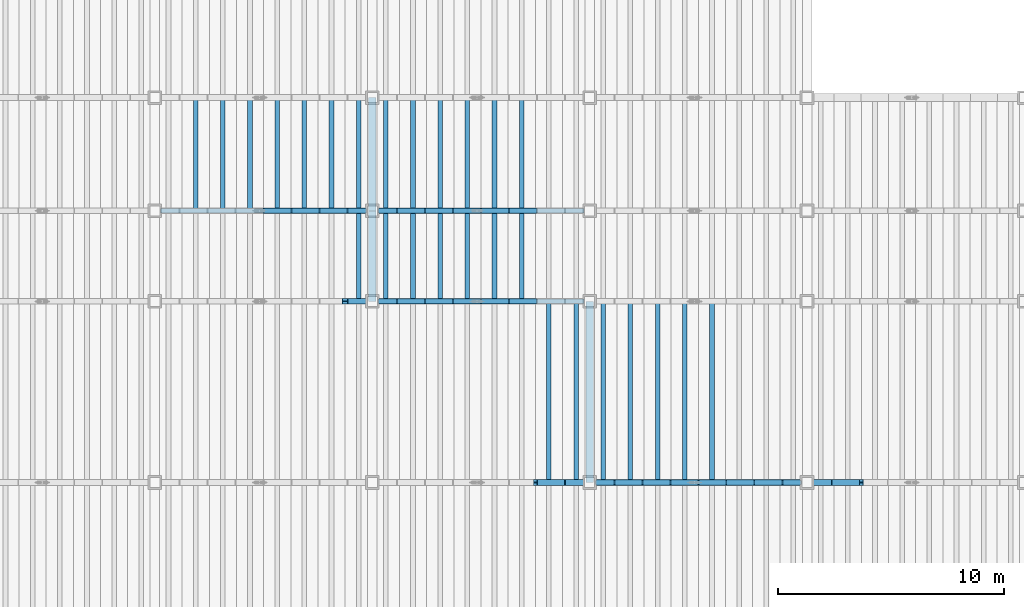
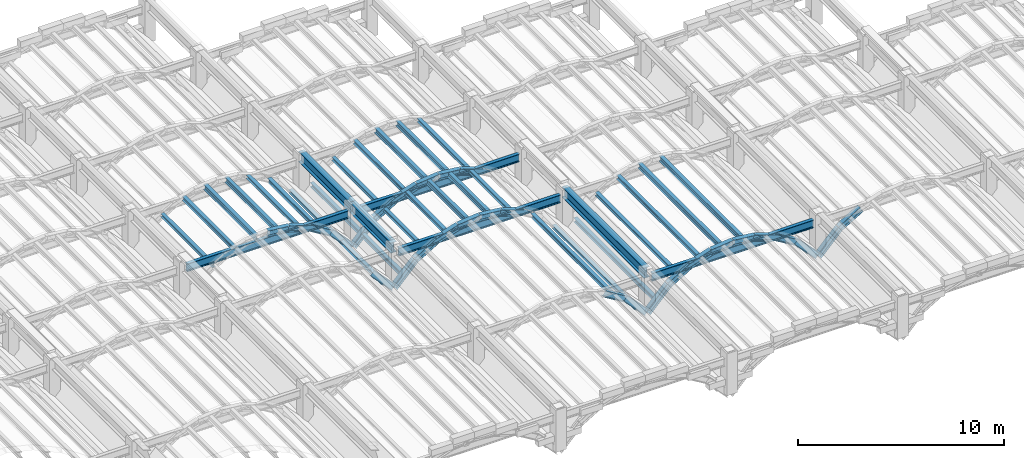
# One storey, part 24 of 70: 56 members, 7 beams.
"""IFC4 building model written with IfcOpenShell, lengths in metres."""

from ifc_helpers import new_model, si_unit, direction, frame, origin, origin_2d, place, context, subcontext, project, spatial, i_section, extrude, material, material_profile, profile_set, type_object, element, save


model = new_model("IFC4")

# Units and contexts
model_context = context("Model", 3, precision=1e-05, world=origin(), true_north=direction((0.0, 1.0)))
body_context = subcontext(model_context, "Body", "Model", "MODEL_VIEW")
ifc_project = project(units=[si_unit("LENGTHUNIT", "METRE"), si_unit("AREAUNIT", "SQUARE_METRE"), si_unit("VOLUMEUNIT", "CUBIC_METRE"), si_unit("PLANEANGLEUNIT", "RADIAN"), si_unit("MASSUNIT", "GRAM", prefix="KILO")], contexts=[model_context])

# Site, building, storey
site_placement = place(None, origin())
site = spatial("IfcSite", under=ifc_project, at=site_placement, CompositionType="ELEMENT")
building_placement = place(site_placement, origin())
building = spatial("IfcBuilding", under=site, at=building_placement, Name="Mavantir Sound Aquarium", CompositionType="ELEMENT")
storey_placement = place(building_placement, frame((0.0, 0.0, 27.0)))
storey = spatial("IfcBuildingStorey", under=building, at=storey_placement, Name="RF", CompositionType="ELEMENT", Elevation=27.0)

# Beams
ifc_material = material(Name="Structural Steel ASTM A992 Gr50", Category="steel")
ifc_material_profile_1 = material_profile(ifc_material, i_section(OverallWidth=0.194091796875, OverallDepth=0.468994140625, WebThickness=0.0126953125, FlangeThickness=0.0205078125, FilletRadius=0.01611328125, at=origin_2d()), Name="W460X106")
ifc_profile_set_1 = profile_set([ifc_material_profile_1], Name="Structural Steel ASTM A992 Gr50")
beam_type_1 = type_object("IfcBeamType", Name="BM-W460X106-I", PredefinedType="BEAM", material=ifc_profile_set_1)
beam_1_placement = place(storey_placement, frame((127.449951171875, 60.800048828125, -5.327392578125), z_axis=(1.0, 0.0, 0.0), x_axis=(0.0, 1.0, 0.0)))
element("IfcBeam", 1, at=beam_1_placement, inside=storey, type_object=beam_type_1, Name="Scalloped bay 3 transverse tie girder 221", PredefinedType="BEAM", context=body_context, shape_type="SweptSolid", body=[
    extrude(i_section(OverallWidth=0.194091796875, OverallDepth=0.468994140625, WebThickness=0.0126953125, FlangeThickness=0.0205078125, FilletRadius=0.01611328125, at=origin_2d()), origin(), (0.0, 0.0, 1.0), 9.10009765625),
])
for number, where, z_axis, x_axis, name in (
    (2, (137.050048828125, 56.800048828125, -5.327392578125), (1.0, 0.0, 0.0), (0.0, 1.0, 0.0), "Scalloped bay 4 transverse tie girder 291"),
    (3, (137.050048828125, 60.800048828125, -5.327392578125), (1.0, 0.0, 0.0), (0.0, 1.0, 0.0), "Scalloped bay 4 transverse tie girder 301"),
):
    element("IfcBeam", number, at=place(storey_placement, frame(where, z_axis=z_axis, x_axis=x_axis)), inside=storey, type_object=beam_type_1, Name=name, PredefinedType="BEAM", context=body_context, shape_type="SweptSolid", body=[
        extrude(i_section(OverallWidth=0.194091796875, OverallDepth=0.468994140625, WebThickness=0.0126953125, FlangeThickness=0.0205078125, FilletRadius=0.01611328125, at=origin_2d()), origin(), (0.0, 0.0, 1.0), 9.099853515625),
    ])
beam_2_placement = place(storey_placement, frame((146.64990234375, 48.800048828125, -5.327392578125), z_axis=(1.0, 0.0, 0.0), x_axis=(0.0, 1.0, 0.0)))
element("IfcBeam", 4, at=beam_2_placement, inside=storey, type_object=beam_type_1, Name="Scalloped bay 5 transverse tie girder 351", PredefinedType="BEAM", context=body_context, shape_type="SweptSolid", body=[
    extrude(i_section(OverallWidth=0.194091796875, OverallDepth=0.468994140625, WebThickness=0.0126953125, FlangeThickness=0.0205078125, FilletRadius=0.01611328125, at=origin_2d()), origin(), (0.0, 0.0, 1.0), 9.10009765625),
])
ifc_material_profile_2 = material_profile(ifc_material, i_section(OverallWidth=0.323974609375, OverallDepth=0.611083984375, WebThickness=0.0126953125, FlangeThickness=0.01904296875, FilletRadius=0.01904296875, at=origin_2d()), Name="W610X155")
ifc_profile_set_2 = profile_set([ifc_material_profile_2], Name="Structural Steel ASTM A992 Gr50")
beam_type_2 = type_object("IfcBeamType", Name="BM-W610X155-E", PredefinedType="BEAM", material=ifc_profile_set_2)
beam_3_placement = place(storey_placement, frame((136.800048828125, 56.800048828125, -5.0048828125), z_axis=(0.0, 1.0, 0.0), x_axis=(-1.0, 0.0, 0.0)))
element("IfcBeam", 5, at=beam_3_placement, inside=storey, type_object=beam_type_2, Name="Scalloped roof straight ridge beam 29", PredefinedType="BEAM", context=body_context, shape_type="SweptSolid", body=[
    extrude(i_section(OverallWidth=0.323974609375, OverallDepth=0.611083984375, WebThickness=0.0126953125, FlangeThickness=0.01904296875, FilletRadius=0.01904296875, at=origin_2d()), origin(), (0.0, 0.0, 1.0), 4.0),
])
beam_4_placement = place(storey_placement, frame((136.800048828125, 60.800048828125, -5.0048828125), z_axis=(0.0, 1.0, 0.0), x_axis=(-1.0, 0.0, 0.0)))
element("IfcBeam", 6, at=beam_4_placement, inside=storey, type_object=beam_type_2, Name="Scalloped roof straight ridge beam 30", PredefinedType="BEAM", context=body_context, shape_type="SweptSolid", body=[
    extrude(i_section(OverallWidth=0.323974609375, OverallDepth=0.611083984375, WebThickness=0.0126953125, FlangeThickness=0.01904296875, FilletRadius=0.01904296875, at=origin_2d()), origin(), (0.0, 0.0, 1.0), 5.0),
])
beam_5_placement = place(storey_placement, frame((146.39990234375, 48.800048828125, -5.0048828125), z_axis=(0.0, 1.0, 0.0), x_axis=(-1.0, 0.0, 0.0)))
element("IfcBeam", 7, at=beam_5_placement, inside=storey, type_object=beam_type_2, Name="Scalloped roof straight ridge beam 35", PredefinedType="BEAM", context=body_context, shape_type="SweptSolid", body=[
    extrude(i_section(OverallWidth=0.323974609375, OverallDepth=0.611083984375, WebThickness=0.0126953125, FlangeThickness=0.01904296875, FilletRadius=0.01904296875, at=origin_2d()), origin(), (0.0, 0.0, 1.0), 8.0),
])

# Members
ifc_material_profile_3 = material_profile(ifc_material, i_section(OverallWidth=0.202880859375, OverallDepth=0.202880859375, WebThickness=0.007080078125, FlangeThickness=0.010986328125, FilletRadius=0.010009765625, at=origin_2d()), Name="W200X46")
ifc_profile_set_3 = profile_set([ifc_material_profile_3], Name="Structural Steel ASTM A992 Gr50")
member_type_1 = type_object("IfcMemberType", Name="MEM-TR-W200", PredefinedType="PURLIN", material=ifc_profile_set_3)
member_1_placement = place(storey_placement, frame((136.199951171875, 56.800048828125, -6.881103515625), z_axis=(0.0, 1.0, 0.0), x_axis=(-1.0, 0.0, 0.0)))
element("IfcMember", 8, at=member_1_placement, inside=storey, type_object=member_type_1, Name="Scalloped bay 3 roof purlin 160", PredefinedType="PURLIN", context=body_context, shape_type="SweptSolid", body=[
    extrude(i_section(OverallWidth=0.202880859375, OverallDepth=0.202880859375, WebThickness=0.007080078125, FlangeThickness=0.010986328125, FilletRadius=0.010009765625, at=origin_2d()), origin(), (0.0, 0.0, 1.0), 4.0),
])
for number, where, z_axis, x_axis, name in (
    (9, (129.0, 60.800048828125, -5.77978515625), (0.0, 1.0, 0.0), (-1.0, 0.0, 0.0), "Scalloped bay 3 roof purlin 162"),
    (10, (133.800048828125, 60.800048828125, -5.169921875), (0.0, 1.0, 0.0), (-1.0, 0.0, 0.0), "Scalloped bay 3 roof purlin 166"),
    (11, (136.199951171875, 60.800048828125, -6.881103515625), (0.0, 1.0, 0.0), (-1.0, 0.0, 0.0), "Scalloped bay 3 roof purlin 168"),
):
    element("IfcMember", number, at=place(storey_placement, frame(where, z_axis=z_axis, x_axis=x_axis)), inside=storey, type_object=member_type_1, Name=name, PredefinedType="PURLIN", context=body_context, shape_type="SweptSolid", body=[
        extrude(i_section(OverallWidth=0.202880859375, OverallDepth=0.202880859375, WebThickness=0.007080078125, FlangeThickness=0.010986328125, FilletRadius=0.010009765625, at=origin_2d()), origin(), (0.0, 0.0, 1.0), 5.0),
    ])
member_2_placement = place(storey_placement, frame((145.800048828125, 48.800048828125, -6.881103515625), z_axis=(0.0, 1.0, 0.0), x_axis=(-1.0, 0.0, 0.0)))
element("IfcMember", 12, at=member_2_placement, inside=storey, type_object=member_type_1, Name="Scalloped bay 4 roof purlin 208", PredefinedType="PURLIN", context=body_context, shape_type="SweptSolid", body=[
    extrude(i_section(OverallWidth=0.202880859375, OverallDepth=0.202880859375, WebThickness=0.007080078125, FlangeThickness=0.010986328125, FilletRadius=0.010009765625, at=origin_2d()), origin(), (0.0, 0.0, 1.0), 8.0),
])
for number, where, z_axis, x_axis, name in (
    (13, (138.60009765625, 56.800048828125, -5.77978515625), (0.0, 1.0, 0.0), (-1.0, 0.0, 0.0), "Scalloped bay 4 roof purlin 210"),
    (14, (143.39990234375, 56.800048828125, -5.169921875), (0.0, 1.0, 0.0), (-1.0, 0.0, 0.0), "Scalloped bay 4 roof purlin 214"),
):
    element("IfcMember", number, at=place(storey_placement, frame(where, z_axis=z_axis, x_axis=x_axis)), inside=storey, type_object=member_type_1, Name=name, PredefinedType="PURLIN", context=body_context, shape_type="SweptSolid", body=[
        extrude(i_section(OverallWidth=0.202880859375, OverallDepth=0.202880859375, WebThickness=0.007080078125, FlangeThickness=0.010986328125, FilletRadius=0.010009765625, at=origin_2d()), origin(), (0.0, 0.0, 1.0), 4.0),
    ])
for number, where, z_axis, x_axis, name in (
    (15, (138.60009765625, 60.800048828125, -5.77978515625), (0.0, 1.0, 0.0), (-1.0, 0.0, 0.0), "Scalloped bay 4 roof purlin 218"),
    (16, (143.39990234375, 60.800048828125, -5.169921875), (0.0, 1.0, 0.0), (-1.0, 0.0, 0.0), "Scalloped bay 4 roof purlin 222"),
):
    element("IfcMember", number, at=place(storey_placement, frame(where, z_axis=z_axis, x_axis=x_axis)), inside=storey, type_object=member_type_1, Name=name, PredefinedType="PURLIN", context=body_context, shape_type="SweptSolid", body=[
        extrude(i_section(OverallWidth=0.202880859375, OverallDepth=0.202880859375, WebThickness=0.007080078125, FlangeThickness=0.010986328125, FilletRadius=0.010009765625, at=origin_2d()), origin(), (0.0, 0.0, 1.0), 5.0),
    ])
member_3_placement = place(storey_placement, frame((148.199951171875, 48.800048828125, -5.77978515625), z_axis=(0.0, 1.0, 0.0), x_axis=(-1.0, 0.0, 0.0)))
element("IfcMember", 17, at=member_3_placement, inside=storey, type_object=member_type_1, Name="Scalloped bay 5 roof purlin 250", PredefinedType="PURLIN", context=body_context, shape_type="SweptSolid", body=[
    extrude(i_section(OverallWidth=0.202880859375, OverallDepth=0.202880859375, WebThickness=0.007080078125, FlangeThickness=0.010986328125, FilletRadius=0.010009765625, at=origin_2d()), origin(), (0.0, 0.0, 1.0), 8.0),
])
ifc_material_profile_4 = material_profile(ifc_material, i_section(OverallWidth=0.202880859375, OverallDepth=0.251953125, WebThickness=0.008056640625, FlangeThickness=0.013427734375, FilletRadius=0.011962890625, at=origin_2d()), Name="W250X58")
ifc_profile_set_4 = profile_set([ifc_material_profile_4], Name="Structural Steel ASTM A992 Gr50")
member_type_2 = type_object("IfcMemberType", Name="MEM-TR-W250", PredefinedType="PURLIN", material=ifc_profile_set_4)
for number, where, z_axis, x_axis, name in (
    (18, (130.199951171875, 60.800048828125, -5.194580078125), (0.0, 1.0, 0.0), (-1.0, 0.0, 0.0), "Scalloped bay 3 roof purlin 163"),
    (19, (135.0, 60.800048828125, -5.804443359375), (0.0, 1.0, 0.0), (-1.0, 0.0, 0.0), "Scalloped bay 3 roof purlin 167"),
):
    element("IfcMember", number, at=place(storey_placement, frame(where, z_axis=z_axis, x_axis=x_axis)), inside=storey, type_object=member_type_2, Name=name, PredefinedType="PURLIN", context=body_context, shape_type="SweptSolid", body=[
        extrude(i_section(OverallWidth=0.202880859375, OverallDepth=0.251953125, WebThickness=0.008056640625, FlangeThickness=0.013427734375, FilletRadius=0.011962890625, at=origin_2d()), origin(), (0.0, 0.0, 1.0), 5.0),
    ])
member_4_placement = place(storey_placement, frame((144.60009765625, 48.800048828125, -5.804443359375), z_axis=(0.0, 1.0, 0.0), x_axis=(-1.0, 0.0, 0.0)))
element("IfcMember", 20, at=member_4_placement, inside=storey, type_object=member_type_2, Name="Scalloped bay 4 roof purlin 207", PredefinedType="PURLIN", context=body_context, shape_type="SweptSolid", body=[
    extrude(i_section(OverallWidth=0.202880859375, OverallDepth=0.251953125, WebThickness=0.008056640625, FlangeThickness=0.013427734375, FilletRadius=0.011962890625, at=origin_2d()), origin(), (0.0, 0.0, 1.0), 8.0),
])
for number, where, z_axis, x_axis, name in (
    (21, (137.39990234375, 56.800048828125, -6.90576171875), (0.0, 1.0, 0.0), (-1.0, 0.0, 0.0), "Scalloped bay 4 roof purlin 209"),
    (22, (139.800048828125, 56.800048828125, -5.194580078125), (0.0, 1.0, 0.0), (-1.0, 0.0, 0.0), "Scalloped bay 4 roof purlin 211"),
):
    element("IfcMember", number, at=place(storey_placement, frame(where, z_axis=z_axis, x_axis=x_axis)), inside=storey, type_object=member_type_2, Name=name, PredefinedType="PURLIN", context=body_context, shape_type="SweptSolid", body=[
        extrude(i_section(OverallWidth=0.202880859375, OverallDepth=0.251953125, WebThickness=0.008056640625, FlangeThickness=0.013427734375, FilletRadius=0.011962890625, at=origin_2d()), origin(), (0.0, 0.0, 1.0), 4.0),
    ])
for number, where, z_axis, x_axis, name in (
    (23, (137.39990234375, 60.800048828125, -6.90576171875), (0.0, 1.0, 0.0), (-1.0, 0.0, 0.0), "Scalloped bay 4 roof purlin 217"),
    (24, (139.800048828125, 60.800048828125, -5.194580078125), (0.0, 1.0, 0.0), (-1.0, 0.0, 0.0), "Scalloped bay 4 roof purlin 219"),
):
    element("IfcMember", number, at=place(storey_placement, frame(where, z_axis=z_axis, x_axis=x_axis)), inside=storey, type_object=member_type_2, Name=name, PredefinedType="PURLIN", context=body_context, shape_type="SweptSolid", body=[
        extrude(i_section(OverallWidth=0.202880859375, OverallDepth=0.251953125, WebThickness=0.008056640625, FlangeThickness=0.013427734375, FilletRadius=0.011962890625, at=origin_2d()), origin(), (0.0, 0.0, 1.0), 5.0),
    ])
for number, where, z_axis, x_axis, name in (
    (25, (147.0, 48.800048828125, -6.90576171875), (0.0, 1.0, 0.0), (-1.0, 0.0, 0.0), "Scalloped bay 5 roof purlin 249"),
    (26, (149.39990234375, 48.800048828125, -5.194580078125), (0.0, 1.0, 0.0), (-1.0, 0.0, 0.0), "Scalloped bay 5 roof purlin 251"),
):
    element("IfcMember", number, at=place(storey_placement, frame(where, z_axis=z_axis, x_axis=x_axis)), inside=storey, type_object=member_type_2, Name=name, PredefinedType="PURLIN", context=body_context, shape_type="SweptSolid", body=[
        extrude(i_section(OverallWidth=0.202880859375, OverallDepth=0.251953125, WebThickness=0.008056640625, FlangeThickness=0.013427734375, FilletRadius=0.011962890625, at=origin_2d()), origin(), (0.0, 0.0, 1.0), 8.0),
    ])
ifc_material_profile_5 = material_profile(ifc_material, i_section(OverallWidth=0.205078125, OverallDepth=0.31005859375, WebThickness=0.009521484375, FlangeThickness=0.016357421875, FilletRadius=0.012939453125, at=origin_2d()), Name="W310X74")
ifc_profile_set_5 = profile_set([ifc_material_profile_5], Name="Structural Steel ASTM A992 Gr50")
member_type_3 = type_object("IfcMemberType", Name="MEM-TR-W310", PredefinedType="RAFTER", material=ifc_profile_set_5)
for number, where, z_axis, x_axis, name in (
    (27, (131.39990234375, 60.800048828125, -4.933837890625), (0.0, 1.0, 0.0), (-1.0, 0.0, 0.0), "Scalloped bay 3 roof purlin 164"),
    (28, (132.60009765625, 60.800048828125, -4.933837890625), (0.0, 1.0, 0.0), (-1.0, 0.0, 0.0), "Scalloped bay 3 roof purlin 165"),
):
    element("IfcMember", number, at=place(storey_placement, frame(where, z_axis=z_axis, x_axis=x_axis)), inside=storey, type_object=member_type_3, Name=name, PredefinedType="RAFTER", context=body_context, shape_type="SweptSolid", body=[
        extrude(i_section(OverallWidth=0.205078125, OverallDepth=0.31005859375, WebThickness=0.009521484375, FlangeThickness=0.016357421875, FilletRadius=0.012939453125, at=origin_2d()), origin(), (0.0, 0.0, 1.0), 5.0),
    ])
for number, where, z_axis, x_axis, name in (
    (29, (141.0, 56.800048828125, -4.933837890625), (0.0, 1.0, 0.0), (-1.0, 0.0, 0.0), "Scalloped bay 4 roof purlin 212"),
    (30, (142.199951171875, 56.800048828125, -4.933837890625), (0.0, 1.0, 0.0), (-1.0, 0.0, 0.0), "Scalloped bay 4 roof purlin 213"),
):
    element("IfcMember", number, at=place(storey_placement, frame(where, z_axis=z_axis, x_axis=x_axis)), inside=storey, type_object=member_type_3, Name=name, PredefinedType="RAFTER", context=body_context, shape_type="SweptSolid", body=[
        extrude(i_section(OverallWidth=0.205078125, OverallDepth=0.31005859375, WebThickness=0.009521484375, FlangeThickness=0.016357421875, FilletRadius=0.012939453125, at=origin_2d()), origin(), (0.0, 0.0, 1.0), 4.0),
    ])
for number, where, z_axis, x_axis, name in (
    (31, (141.0, 60.800048828125, -4.933837890625), (0.0, 1.0, 0.0), (-1.0, 0.0, 0.0), "Scalloped bay 4 roof purlin 220"),
    (32, (142.199951171875, 60.800048828125, -4.933837890625), (0.0, 1.0, 0.0), (-1.0, 0.0, 0.0), "Scalloped bay 4 roof purlin 221"),
):
    element("IfcMember", number, at=place(storey_placement, frame(where, z_axis=z_axis, x_axis=x_axis)), inside=storey, type_object=member_type_3, Name=name, PredefinedType="RAFTER", context=body_context, shape_type="SweptSolid", body=[
        extrude(i_section(OverallWidth=0.205078125, OverallDepth=0.31005859375, WebThickness=0.009521484375, FlangeThickness=0.016357421875, FilletRadius=0.012939453125, at=origin_2d()), origin(), (0.0, 0.0, 1.0), 5.0),
    ])
for number, where, z_axis, x_axis, name in (
    (33, (150.60009765625, 48.800048828125, -4.933837890625), (0.0, 1.0, 0.0), (-1.0, 0.0, 0.0), "Scalloped bay 5 roof purlin 252"),
    (34, (151.800048828125, 48.800048828125, -4.933837890625), (0.0, 1.0, 0.0), (-1.0, 0.0, 0.0), "Scalloped bay 5 roof purlin 253"),
):
    element("IfcMember", number, at=place(storey_placement, frame(where, z_axis=z_axis, x_axis=x_axis)), inside=storey, type_object=member_type_3, Name=name, PredefinedType="RAFTER", context=body_context, shape_type="SweptSolid", body=[
        extrude(i_section(OverallWidth=0.205078125, OverallDepth=0.31005859375, WebThickness=0.009521484375, FlangeThickness=0.016357421875, FilletRadius=0.012939453125, at=origin_2d()), origin(), (0.0, 0.0, 1.0), 8.0),
    ])
ifc_material_profile_6 = material_profile(ifc_material, i_section(OverallWidth=0.25390625, OverallDepth=0.35302734375, WebThickness=0.009521484375, FlangeThickness=0.016357421875, FilletRadius=0.014892578125, at=origin_2d()), Name="W360X91")
ifc_profile_set_6 = profile_set([ifc_material_profile_6], Name="Structural Steel ASTM A992 Gr50")
member_type_4 = type_object("IfcMemberType", Name="MEM-TR-W360", PredefinedType="RAFTER", material=ifc_profile_set_6)
member_5_placement = place(storey_placement, frame((135.60009765625, 56.800048828125, -6.11328125), z_axis=(0.688727365252, 0.0, -0.725020424784), x_axis=(0.0, 1.0, 0.0)))
element("IfcMember", 35, at=member_5_placement, inside=storey, type_object=member_type_4, Name="Scalloped bay 3 sagging-arc trough rib 220", PredefinedType="RAFTER", context=body_context, shape_type="SweptSolid", body=[
    extrude(i_section(OverallWidth=0.25390625, OverallDepth=0.35302734375, WebThickness=0.009521484375, FlangeThickness=0.016357421875, FilletRadius=0.014892578125, at=origin_2d()), origin(), (0.0, 0.0, 1.0), 1.7421875),
])
member_6_placement = place(storey_placement, frame((132.0, 60.800048828125, -4.87646484375), z_axis=(0.994680359373, 0.0, -0.103009624196), x_axis=(0.0, 1.0, 0.0)))
element("IfcMember", 36, at=member_6_placement, inside=storey, type_object=member_type_4, Name="Scalloped bay 3 sagging-arc trough rib 226", PredefinedType="RAFTER", context=body_context, shape_type="SweptSolid", body=[
    extrude(i_section(OverallWidth=0.25390625, OverallDepth=0.35302734375, WebThickness=0.009521484375, FlangeThickness=0.016357421875, FilletRadius=0.014892578125, at=origin_2d()), origin(), (0.0, 0.0, 1.0), 1.206298828125),
])
member_7_placement = place(storey_placement, frame((133.199951171875, 60.800048828125, -5.000732421875), z_axis=(0.951055396379, 0.0, -0.309020441102), x_axis=(0.0, 1.0, 0.0)))
element("IfcMember", 37, at=member_7_placement, inside=storey, type_object=member_type_4, Name="Scalloped bay 3 sagging-arc trough rib 228", PredefinedType="RAFTER", context=body_context, shape_type="SweptSolid", body=[
    extrude(i_section(OverallWidth=0.25390625, OverallDepth=0.35302734375, WebThickness=0.009521484375, FlangeThickness=0.016357421875, FilletRadius=0.014892578125, at=origin_2d()), origin(), (0.0, 0.0, 1.0), 1.26171875),
])
member_8_placement = place(storey_placement, frame((134.39990234375, 60.800048828125, -5.390625), z_axis=(0.856692316174, 0.0, -0.515827757501), x_axis=(0.0, 1.0, 0.0)))
element("IfcMember", 38, at=member_8_placement, inside=storey, type_object=member_type_4, Name="Scalloped bay 3 sagging-arc trough rib 229", PredefinedType="RAFTER", context=body_context, shape_type="SweptSolid", body=[
    extrude(i_section(OverallWidth=0.25390625, OverallDepth=0.35302734375, WebThickness=0.009521484375, FlangeThickness=0.016357421875, FilletRadius=0.014892578125, at=origin_2d()), origin(), (0.0, 0.0, 1.0), 1.40087890625),
])
member_9_placement = place(storey_placement, frame((135.60009765625, 60.800048828125, -6.11328125), z_axis=(0.688727365252, 0.0, -0.725020424784), x_axis=(0.0, 1.0, 0.0)))
element("IfcMember", 39, at=member_9_placement, inside=storey, type_object=member_type_4, Name="Scalloped bay 3 sagging-arc trough rib 230", PredefinedType="RAFTER", context=body_context, shape_type="SweptSolid", body=[
    extrude(i_section(OverallWidth=0.25390625, OverallDepth=0.35302734375, WebThickness=0.009521484375, FlangeThickness=0.016357421875, FilletRadius=0.014892578125, at=origin_2d()), origin(), (0.0, 0.0, 1.0), 1.7421875),
])
member_10_placement = place(storey_placement, frame((144.0, 48.800048828125, -5.390625), z_axis=(0.856645937356, 0.0, -0.515904776109), x_axis=(0.0, 1.0, 0.0)))
element("IfcMember", 40, at=member_10_placement, inside=storey, type_object=member_type_4, Name="Scalloped bay 4 sagging-arc trough rib 289", PredefinedType="RAFTER", context=body_context, shape_type="SweptSolid", body=[
    extrude(i_section(OverallWidth=0.25390625, OverallDepth=0.35302734375, WebThickness=0.009521484375, FlangeThickness=0.016357421875, FilletRadius=0.014892578125, at=origin_2d()), origin(), (0.0, 0.0, 1.0), 1.400634765625),
])
for number, where, z_axis, x_axis, name in (
    (41, (145.199951171875, 48.800048828125, -6.11328125), (0.688727365252, 0.0, -0.725020424784), (0.0, 1.0, 0.0), "Scalloped bay 4 sagging-arc trough rib 290"),
    (42, (136.800048828125, 56.800048828125, -7.37646484375), (0.688727365252, 0.0, 0.725020424784), (0.0, 1.0, 0.0), "Scalloped bay 4 sagging-arc trough rib 292"),
):
    element("IfcMember", number, at=place(storey_placement, frame(where, z_axis=z_axis, x_axis=x_axis)), inside=storey, type_object=member_type_4, Name=name, PredefinedType="RAFTER", context=body_context, shape_type="SweptSolid", body=[
        extrude(i_section(OverallWidth=0.25390625, OverallDepth=0.35302734375, WebThickness=0.009521484375, FlangeThickness=0.016357421875, FilletRadius=0.014892578125, at=origin_2d()), origin(), (0.0, 0.0, 1.0), 1.7421875),
    ])
member_11_placement = place(storey_placement, frame((138.0, 56.800048828125, -6.11328125), z_axis=(0.856645937356, 0.0, 0.515904776109), x_axis=(0.0, 1.0, 0.0)))
element("IfcMember", 43, at=member_11_placement, inside=storey, type_object=member_type_4, Name="Scalloped bay 4 sagging-arc trough rib 293", PredefinedType="RAFTER", context=body_context, shape_type="SweptSolid", body=[
    extrude(i_section(OverallWidth=0.25390625, OverallDepth=0.35302734375, WebThickness=0.009521484375, FlangeThickness=0.016357421875, FilletRadius=0.014892578125, at=origin_2d()), origin(), (0.0, 0.0, 1.0), 1.400634765625),
])
member_12_placement = place(storey_placement, frame((139.199951171875, 56.800048828125, -5.390625), z_axis=(0.951055396379, 0.0, 0.309020441102), x_axis=(0.0, 1.0, 0.0)))
element("IfcMember", 44, at=member_12_placement, inside=storey, type_object=member_type_4, Name="Scalloped bay 4 sagging-arc trough rib 294", PredefinedType="RAFTER", context=body_context, shape_type="SweptSolid", body=[
    extrude(i_section(OverallWidth=0.25390625, OverallDepth=0.35302734375, WebThickness=0.009521484375, FlangeThickness=0.016357421875, FilletRadius=0.014892578125, at=origin_2d()), origin(), (0.0, 0.0, 1.0), 1.26171875),
])
member_13_placement = place(storey_placement, frame((140.39990234375, 56.800048828125, -5.000732421875), z_axis=(0.994682506138, 0.0, 0.102988892519), x_axis=(0.0, 1.0, 0.0)))
element("IfcMember", 45, at=member_13_placement, inside=storey, type_object=member_type_4, Name="Scalloped bay 4 sagging-arc trough rib 295", PredefinedType="RAFTER", context=body_context, shape_type="SweptSolid", body=[
    extrude(i_section(OverallWidth=0.25390625, OverallDepth=0.35302734375, WebThickness=0.009521484375, FlangeThickness=0.016357421875, FilletRadius=0.014892578125, at=origin_2d()), origin(), (0.0, 0.0, 1.0), 1.20654296875),
])
member_14_placement = place(storey_placement, frame((141.60009765625, 56.800048828125, -4.87646484375), z_axis=(0.994680359373, 0.0, -0.103009624196), x_axis=(0.0, 1.0, 0.0)))
element("IfcMember", 46, at=member_14_placement, inside=storey, type_object=member_type_4, Name="Scalloped bay 4 sagging-arc trough rib 296", PredefinedType="RAFTER", context=body_context, shape_type="SweptSolid", body=[
    extrude(i_section(OverallWidth=0.25390625, OverallDepth=0.35302734375, WebThickness=0.009521484375, FlangeThickness=0.016357421875, FilletRadius=0.014892578125, at=origin_2d()), origin(), (0.0, 0.0, 1.0), 1.206298828125),
])
member_15_placement = place(storey_placement, frame((142.800048828125, 56.800048828125, -5.000732421875), z_axis=(0.951055396379, 0.0, -0.309020441102), x_axis=(0.0, 1.0, 0.0)))
element("IfcMember", 47, at=member_15_placement, inside=storey, type_object=member_type_4, Name="Scalloped bay 4 sagging-arc trough rib 298", PredefinedType="RAFTER", context=body_context, shape_type="SweptSolid", body=[
    extrude(i_section(OverallWidth=0.25390625, OverallDepth=0.35302734375, WebThickness=0.009521484375, FlangeThickness=0.016357421875, FilletRadius=0.014892578125, at=origin_2d()), origin(), (0.0, 0.0, 1.0), 1.26171875),
])
member_16_placement = place(storey_placement, frame((136.800048828125, 60.800048828125, -7.37646484375), z_axis=(0.688727365252, 0.0, 0.725020424784), x_axis=(0.0, 1.0, 0.0)))
element("IfcMember", 48, at=member_16_placement, inside=storey, type_object=member_type_4, Name="Scalloped bay 4 sagging-arc trough rib 302", PredefinedType="RAFTER", context=body_context, shape_type="SweptSolid", body=[
    extrude(i_section(OverallWidth=0.25390625, OverallDepth=0.35302734375, WebThickness=0.009521484375, FlangeThickness=0.016357421875, FilletRadius=0.014892578125, at=origin_2d()), origin(), (0.0, 0.0, 1.0), 1.7421875),
])
member_17_placement = place(storey_placement, frame((138.0, 60.800048828125, -6.11328125), z_axis=(0.856645937356, 0.0, 0.515904776109), x_axis=(0.0, 1.0, 0.0)))
element("IfcMember", 49, at=member_17_placement, inside=storey, type_object=member_type_4, Name="Scalloped bay 4 sagging-arc trough rib 303", PredefinedType="RAFTER", context=body_context, shape_type="SweptSolid", body=[
    extrude(i_section(OverallWidth=0.25390625, OverallDepth=0.35302734375, WebThickness=0.009521484375, FlangeThickness=0.016357421875, FilletRadius=0.014892578125, at=origin_2d()), origin(), (0.0, 0.0, 1.0), 1.400634765625),
])
member_18_placement = place(storey_placement, frame((139.199951171875, 60.800048828125, -5.390625), z_axis=(0.951055396379, 0.0, 0.309020441102), x_axis=(0.0, 1.0, 0.0)))
element("IfcMember", 50, at=member_18_placement, inside=storey, type_object=member_type_4, Name="Scalloped bay 4 sagging-arc trough rib 304", PredefinedType="RAFTER", context=body_context, shape_type="SweptSolid", body=[
    extrude(i_section(OverallWidth=0.25390625, OverallDepth=0.35302734375, WebThickness=0.009521484375, FlangeThickness=0.016357421875, FilletRadius=0.014892578125, at=origin_2d()), origin(), (0.0, 0.0, 1.0), 1.26171875),
])
member_19_placement = place(storey_placement, frame((140.39990234375, 60.800048828125, -5.000732421875), z_axis=(0.994682506138, 0.0, 0.102988892519), x_axis=(0.0, 1.0, 0.0)))
element("IfcMember", 51, at=member_19_placement, inside=storey, type_object=member_type_4, Name="Scalloped bay 4 sagging-arc trough rib 305", PredefinedType="RAFTER", context=body_context, shape_type="SweptSolid", body=[
    extrude(i_section(OverallWidth=0.25390625, OverallDepth=0.35302734375, WebThickness=0.009521484375, FlangeThickness=0.016357421875, FilletRadius=0.014892578125, at=origin_2d()), origin(), (0.0, 0.0, 1.0), 1.20654296875),
])
member_20_placement = place(storey_placement, frame((141.60009765625, 60.800048828125, -4.87646484375), z_axis=(0.994680359373, 0.0, -0.103009624196), x_axis=(0.0, 1.0, 0.0)))
element("IfcMember", 52, at=member_20_placement, inside=storey, type_object=member_type_4, Name="Scalloped bay 4 sagging-arc trough rib 306", PredefinedType="RAFTER", context=body_context, shape_type="SweptSolid", body=[
    extrude(i_section(OverallWidth=0.25390625, OverallDepth=0.35302734375, WebThickness=0.009521484375, FlangeThickness=0.016357421875, FilletRadius=0.014892578125, at=origin_2d()), origin(), (0.0, 0.0, 1.0), 1.206298828125),
])
member_21_placement = place(storey_placement, frame((142.800048828125, 60.800048828125, -5.000732421875), z_axis=(0.951055396379, 0.0, -0.309020441102), x_axis=(0.0, 1.0, 0.0)))
element("IfcMember", 53, at=member_21_placement, inside=storey, type_object=member_type_4, Name="Scalloped bay 4 sagging-arc trough rib 308", PredefinedType="RAFTER", context=body_context, shape_type="SweptSolid", body=[
    extrude(i_section(OverallWidth=0.25390625, OverallDepth=0.35302734375, WebThickness=0.009521484375, FlangeThickness=0.016357421875, FilletRadius=0.014892578125, at=origin_2d()), origin(), (0.0, 0.0, 1.0), 1.26171875),
])
member_22_placement = place(storey_placement, frame((146.39990234375, 48.800048828125, -7.37646484375), z_axis=(0.688801013332, 0.0, 0.724950456261), x_axis=(0.0, 1.0, 0.0)))
element("IfcMember", 54, at=member_22_placement, inside=storey, type_object=member_type_4, Name="Scalloped bay 5 sagging-arc trough rib 352", PredefinedType="RAFTER", context=body_context, shape_type="SweptSolid", body=[
    extrude(i_section(OverallWidth=0.25390625, OverallDepth=0.35302734375, WebThickness=0.009521484375, FlangeThickness=0.016357421875, FilletRadius=0.014892578125, at=origin_2d()), origin(), (0.0, 0.0, 1.0), 1.742431640625),
])
member_23_placement = place(storey_placement, frame((147.60009765625, 48.800048828125, -6.11328125), z_axis=(0.856645937356, 0.0, 0.515904776109), x_axis=(0.0, 1.0, 0.0)))
element("IfcMember", 55, at=member_23_placement, inside=storey, type_object=member_type_4, Name="Scalloped bay 5 sagging-arc trough rib 353", PredefinedType="RAFTER", context=body_context, shape_type="SweptSolid", body=[
    extrude(i_section(OverallWidth=0.25390625, OverallDepth=0.35302734375, WebThickness=0.009521484375, FlangeThickness=0.016357421875, FilletRadius=0.014892578125, at=origin_2d()), origin(), (0.0, 0.0, 1.0), 1.400634765625),
])
member_24_placement = place(storey_placement, frame((148.800048828125, 48.800048828125, -5.390625), z_axis=(0.951055396379, 0.0, 0.309020441102), x_axis=(0.0, 1.0, 0.0)))
element("IfcMember", 56, at=member_24_placement, inside=storey, type_object=member_type_4, Name="Scalloped bay 5 sagging-arc trough rib 354", PredefinedType="RAFTER", context=body_context, shape_type="SweptSolid", body=[
    extrude(i_section(OverallWidth=0.25390625, OverallDepth=0.35302734375, WebThickness=0.009521484375, FlangeThickness=0.016357421875, FilletRadius=0.014892578125, at=origin_2d()), origin(), (0.0, 0.0, 1.0), 1.26171875),
])
for number, where, z_axis, x_axis, name in (
    (57, (150.0, 48.800048828125, -5.000732421875), (0.994680359373, 0.0, 0.103009624196), (0.0, 1.0, 0.0), "Scalloped bay 5 sagging-arc trough rib 355"),
    (58, (151.199951171875, 48.800048828125, -4.87646484375), (0.994680359373, 0.0, -0.103009624196), (0.0, 1.0, 0.0), "Scalloped bay 5 sagging-arc trough rib 356"),
):
    element("IfcMember", number, at=place(storey_placement, frame(where, z_axis=z_axis, x_axis=x_axis)), inside=storey, type_object=member_type_4, Name=name, PredefinedType="RAFTER", context=body_context, shape_type="SweptSolid", body=[
        extrude(i_section(OverallWidth=0.25390625, OverallDepth=0.35302734375, WebThickness=0.009521484375, FlangeThickness=0.016357421875, FilletRadius=0.014892578125, at=origin_2d()), origin(), (0.0, 0.0, 1.0), 1.206298828125),
    ])
member_25_placement = place(storey_placement, frame((152.39990234375, 48.800048828125, -5.000732421875), z_axis=(0.951073869353, 0.0, -0.30896358205), x_axis=(0.0, 1.0, 0.0)))
element("IfcMember", 59, at=member_25_placement, inside=storey, type_object=member_type_4, Name="Scalloped bay 5 sagging-arc trough rib 358", PredefinedType="RAFTER", context=body_context, shape_type="SweptSolid", body=[
    extrude(i_section(OverallWidth=0.25390625, OverallDepth=0.35302734375, WebThickness=0.009521484375, FlangeThickness=0.016357421875, FilletRadius=0.014892578125, at=origin_2d()), origin(), (0.0, 0.0, 1.0), 1.261962890625),
])
member_26_placement = place(storey_placement, frame((153.60009765625, 48.800048828125, -5.390625), z_axis=(0.856645937356, 0.0, -0.515904776109), x_axis=(0.0, 1.0, 0.0)))
element("IfcMember", 60, at=member_26_placement, inside=storey, type_object=member_type_4, Name="Scalloped bay 5 sagging-arc trough rib 359", PredefinedType="RAFTER", context=body_context, shape_type="SweptSolid", body=[
    extrude(i_section(OverallWidth=0.25390625, OverallDepth=0.35302734375, WebThickness=0.009521484375, FlangeThickness=0.016357421875, FilletRadius=0.014892578125, at=origin_2d()), origin(), (0.0, 0.0, 1.0), 1.400634765625),
])
for number, where, z_axis, x_axis, name in (
    (61, (154.800048828125, 48.800048828125, -6.11328125), (0.688727365252, 0.0, -0.725020424784), (0.0, 1.0, 0.0), "Scalloped bay 5 sagging-arc trough rib 360"),
    (62, (156.0, 48.800048828125, -7.37646484375), (0.688727365252, 0.0, 0.725020424784), (0.0, 1.0, 0.0), "Scalloped bay 6 sagging-arc trough rib 412"),
):
    element("IfcMember", number, at=place(storey_placement, frame(where, z_axis=z_axis, x_axis=x_axis)), inside=storey, type_object=member_type_4, Name=name, PredefinedType="RAFTER", context=body_context, shape_type="SweptSolid", body=[
        extrude(i_section(OverallWidth=0.25390625, OverallDepth=0.35302734375, WebThickness=0.009521484375, FlangeThickness=0.016357421875, FilletRadius=0.014892578125, at=origin_2d()), origin(), (0.0, 0.0, 1.0), 1.7421875),
    ])
member_27_placement = place(storey_placement, frame((157.199951171875, 48.800048828125, -6.11328125), z_axis=(0.856645937356, 0.0, 0.515904776109), x_axis=(0.0, 1.0, 0.0)))
element("IfcMember", 63, at=member_27_placement, inside=storey, type_object=member_type_4, Name="Scalloped bay 6 sagging-arc trough rib 413", PredefinedType="RAFTER", context=body_context, shape_type="SweptSolid", body=[
    extrude(i_section(OverallWidth=0.25390625, OverallDepth=0.35302734375, WebThickness=0.009521484375, FlangeThickness=0.016357421875, FilletRadius=0.014892578125, at=origin_2d()), origin(), (0.0, 0.0, 1.0), 1.400634765625),
])

save(model, "model.ifc")
